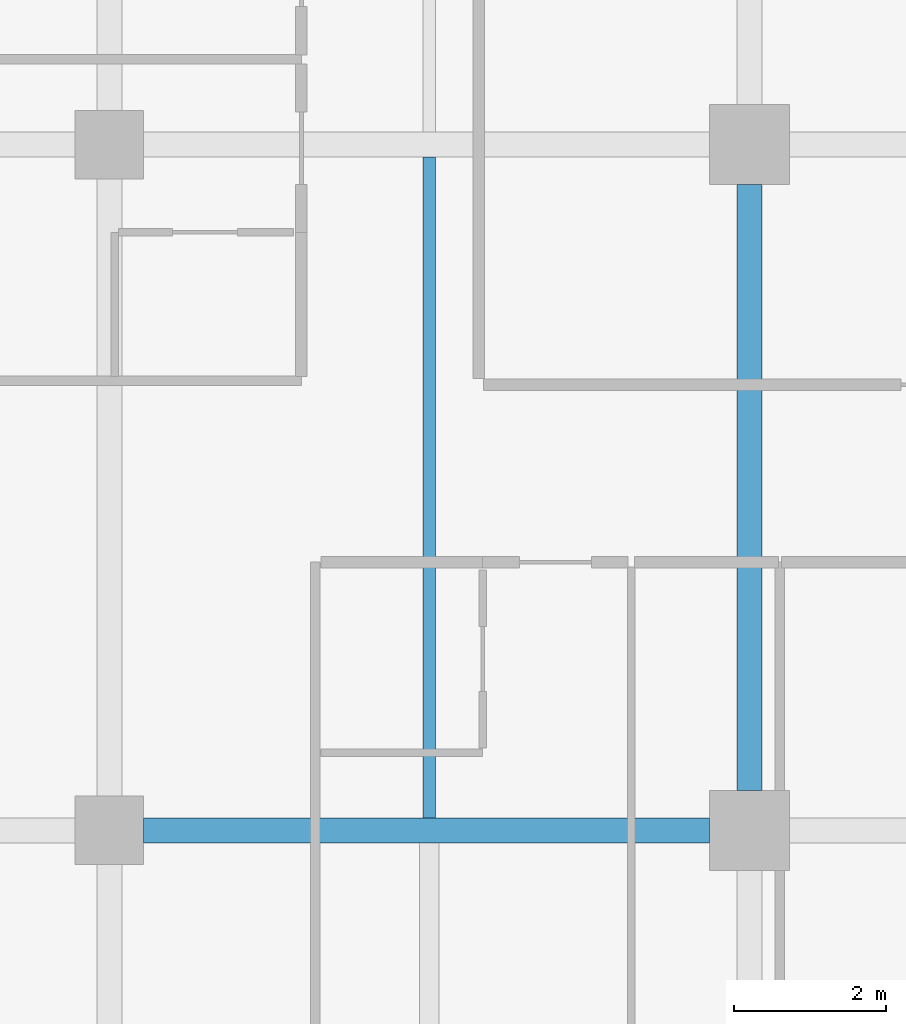
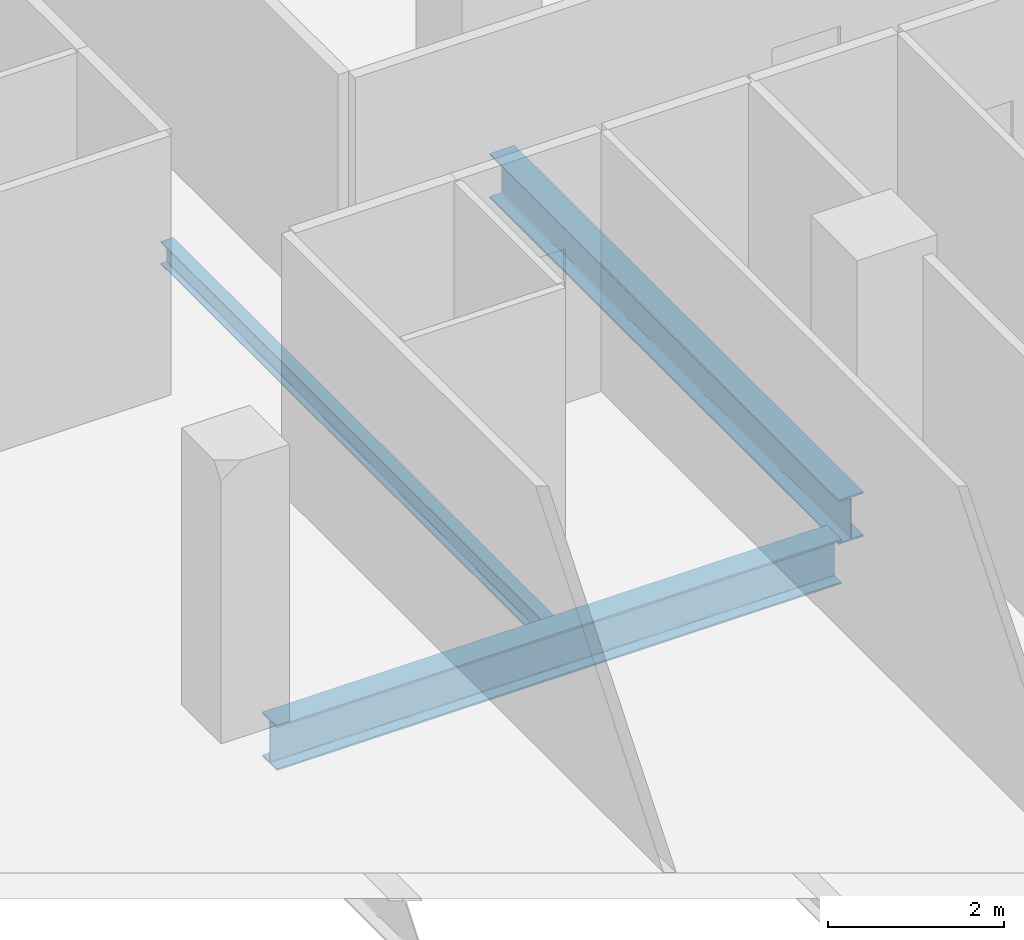
# One storey, part 6 of 40: 3 beams.
"""IFC4 building model written with IfcOpenShell, lengths in metres."""

from ifc_helpers import new_model, si_unit, direction, frame, origin, origin_2d, place, context, subcontext, project, spatial, i_section, extrude, material, material_profile, profile_set, type_object, element, save


model = new_model("IFC4")

# Units and contexts
model_context = context("Model", 3, precision=1e-05, world=origin(), true_north=direction((0.0, 1.0)))
body_context = subcontext(model_context, "Body", "Model", "MODEL_VIEW")
ifc_project = project(units=[si_unit("LENGTHUNIT", "METRE"), si_unit("AREAUNIT", "SQUARE_METRE"), si_unit("VOLUMEUNIT", "CUBIC_METRE"), si_unit("PLANEANGLEUNIT", "RADIAN"), si_unit("MASSUNIT", "GRAM", prefix="KILO")], contexts=[model_context])

# Site, building, storey
site_placement = place(None, origin())
site = spatial("IfcSite", under=ifc_project, at=site_placement, CompositionType="ELEMENT")
building_placement = place(site_placement, origin())
building = spatial("IfcBuilding", under=site, at=building_placement, Name="Maruvema Waterfront Hotel and Observation Tower", CompositionType="ELEMENT")
storey_placement = place(building_placement, frame((0.0, 0.0, 38.5)))
storey = spatial("IfcBuildingStorey", under=building, at=storey_placement, Name="L08", CompositionType="ELEMENT", Elevation=38.5)

# Beams
ifc_material_1 = material(Name="Steel ASTM A572 Grade 50", Category="steel")
ifc_material_profile_1 = material_profile(ifc_material_1, i_section(OverallWidth=0.326904296875, OverallDepth=0.6220703125, WebThickness=0.015380859375, FlangeThickness=0.0244140625, FilletRadius=0.01806640625, at=origin_2d()), Name="W610x195.0")
ifc_profile_set_1 = profile_set([ifc_material_profile_1], Name="Steel ASTM A572 Grade 50")
beam_type_1 = type_object("IfcBeamType", Name="Primary Floor Girder W610x195.0", PredefinedType="BEAM", material=ifc_profile_set_1)
beam_1_placement = place(storey_placement, frame((17.25, 9.0, -0.551025390625), z_axis=(1.0, 0.0, 0.0), x_axis=(0.0, 1.0, 0.0)))
element("IfcBeam", 1, at=beam_1_placement, inside=storey, type_object=beam_type_1, Name="L08 Floor Girder EW-07", PredefinedType="BEAM", context=body_context, shape_type="SweptSolid", body=[
    extrude(i_section(OverallWidth=0.326904296875, OverallDepth=0.6220703125, WebThickness=0.015380859375, FlangeThickness=0.0244140625, FilletRadius=0.01806640625, at=origin_2d()), origin(), (0.0, 0.0, 1.0), 7.425048828125),
])
beam_2_placement = place(storey_placement, frame((25.199951171875, 9.52490234375, -0.551025390625), z_axis=(0.0, 1.0, 0.0), x_axis=(-1.0, 0.0, 0.0)))
element("IfcBeam", 2, at=beam_2_placement, inside=storey, type_object=beam_type_1, Name="L08 Floor Girder NS-12", PredefinedType="BEAM", context=body_context, shape_type="SweptSolid", body=[
    extrude(i_section(OverallWidth=0.326904296875, OverallDepth=0.6220703125, WebThickness=0.015380859375, FlangeThickness=0.0244140625, FilletRadius=0.01806640625, at=origin_2d()), origin(), (0.0, 0.0, 1.0), 7.9501953125),
])
ifc_material_2 = material(Name="Steel ASTM A572 Grade 50", Category="steel")
ifc_material_profile_2 = material_profile(ifc_material_2, i_section(OverallWidth=0.1669921875, OverallDepth=0.31689453125, WebThickness=0.007568359375, FlangeThickness=0.01318359375, FilletRadius=0.012939453125, at=origin_2d()), Name="W310x52.0")
ifc_profile_set_2 = profile_set([ifc_material_profile_2], Name="Steel ASTM A572 Grade 50")
beam_type_2 = type_object("IfcBeamType", Name="Secondary Floor Joist W310x52.0", PredefinedType="JOIST", material=ifc_profile_set_2)
beam_3_placement = place(storey_placement, frame((21.0, 9.16357421875, -0.3984375), z_axis=(0.0, 1.0, 0.0), x_axis=(-1.0, 0.0, 0.0)))
element("IfcBeam", 3, at=beam_3_placement, inside=storey, type_object=beam_type_2, Name="L08 Secondary Floor Joist JS-06", PredefinedType="JOIST", context=body_context, shape_type="SweptSolid", body=[
    extrude(i_section(OverallWidth=0.1669921875, OverallDepth=0.31689453125, WebThickness=0.007568359375, FlangeThickness=0.01318359375, FilletRadius=0.012939453125, at=origin_2d()), origin(), (0.0, 0.0, 1.0), 8.6728515625),
])

save(model, "model.ifc")
